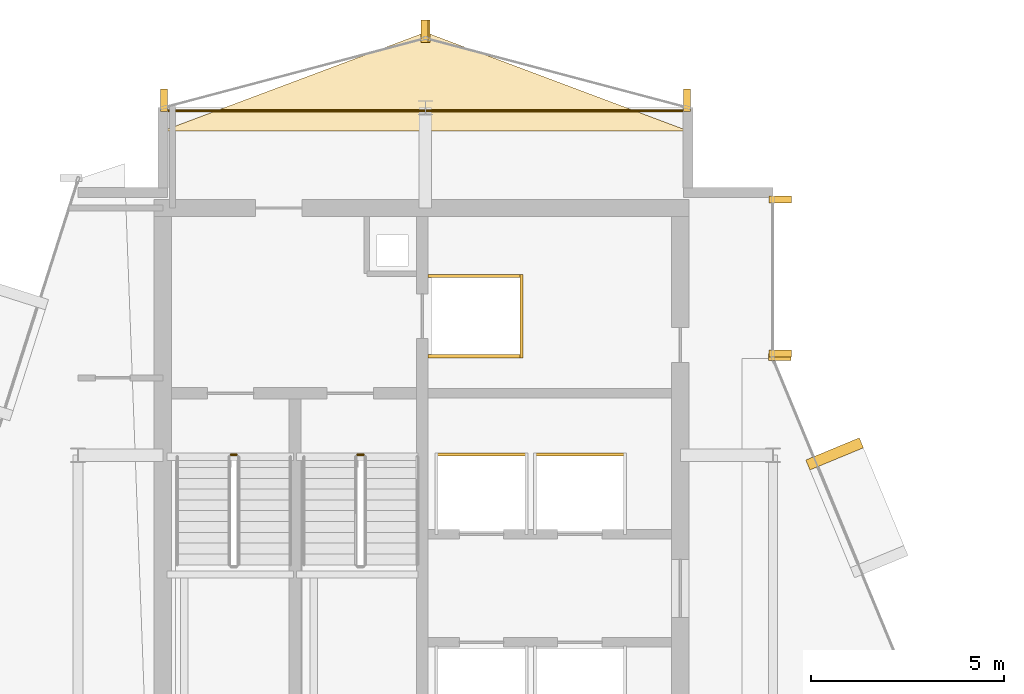
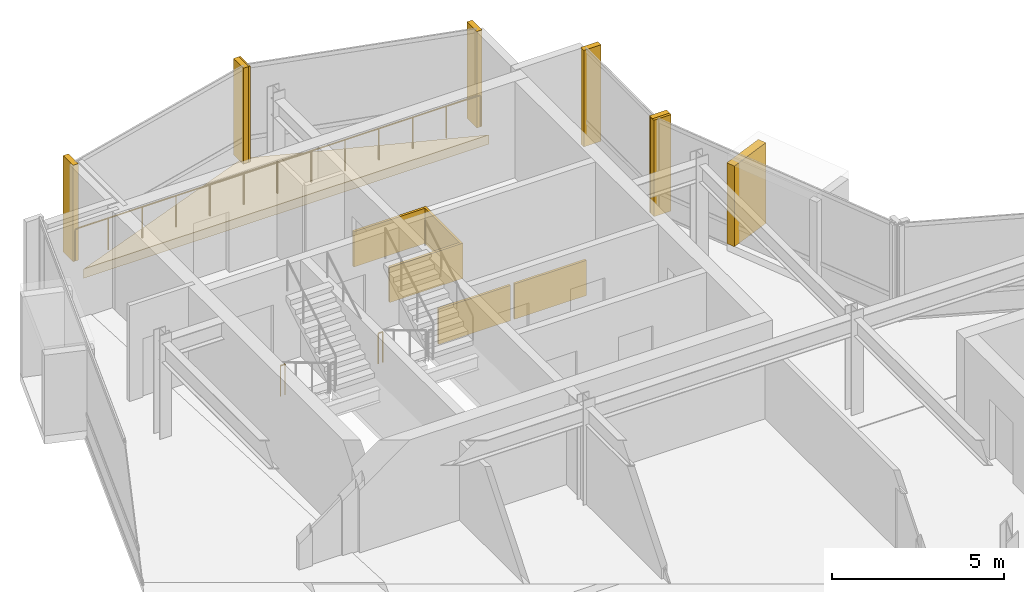
# One storey, part 19 of 19: 14 coverings, 3 railings.
"""IFC4 building model written with IfcOpenShell, lengths in metres."""

from ifc_helpers import new_model, si_unit, direction, frame, origin, origin_2d, place, context, subcontext, project, spatial, polyline, rectangle, circle, outline, extrude, material, layer, layer_set, type_object, element, save


model = new_model("IFC4")

# Units and contexts
model_context = context("Model", 3, precision=1e-05, world=origin(), true_north=direction((0.0, 1.0)))
body_context = subcontext(model_context, "Body", "Model", "MODEL_VIEW")
ifc_project = project(units=[si_unit("LENGTHUNIT", "METRE"), si_unit("AREAUNIT", "SQUARE_METRE"), si_unit("VOLUMEUNIT", "CUBIC_METRE"), si_unit("PLANEANGLEUNIT", "RADIAN"), si_unit("MASSUNIT", "GRAM", prefix="KILO")], contexts=[model_context])

# Site, building, storey
site_placement = place(None, origin())
site = spatial("IfcSite", under=ifc_project, at=site_placement, CompositionType="ELEMENT")
building_placement = place(site_placement, origin())
building = spatial("IfcBuilding", under=site, at=building_placement, Name="Solvaryn Broadcast Tower", CompositionType="ELEMENT")
storey_placement = place(building_placement, frame((0.0, 0.0, 270.39990234375)))
storey = spatial("IfcBuildingStorey", under=building, at=storey_placement, Name="L68", CompositionType="ELEMENT", Elevation=270.39990234375)

# Coverings
ifc_material_1 = material(Name="Fire-Rated Gypsum Shaftwall Liner", Category="concrete")
ifc_layer_1 = layer(ifc_material_1, 0.080078125)
ifc_layer_set_1 = layer_set([ifc_layer_1], Name="CV-SHAFT-LINER")
covering_type_1 = type_object("IfcCoveringType", Name="CV-SHAFT-LINER", PredefinedType="CLADDING", material=ifc_layer_set_1)
for number, where, z_axis, x_axis, name in (
    (1, (19.300048828125, 40.639892578125, 0.0), (0.0, 0.0, 1.0), (1.0, 0.0, 0.0), "L68 FL1 Hoistway Shaft Liner North"),
    (2, (19.300048828125, 38.56005859375, 0.0), (0.0, 0.0, 1.0), (1.0, 0.0, 0.0), "L68 FL1 Hoistway Shaft Liner South"),
):
    element("IfcCovering", number, at=place(storey_placement, frame(where, z_axis=z_axis, x_axis=x_axis)), inside=storey, type_object=covering_type_1, Name=name, PredefinedType="CLADDING", context=body_context, shape_type="SweptSolid", body=[
        extrude(rectangle(XDim=2.4599609375, YDim=0.080078125, at=origin_2d()), origin(), (0.0, 0.0, 1.0), 1.25),
    ])
covering_1_placement = place(storey_placement, frame((20.489990234375, 39.60009765625, 0.0), z_axis=(0.0, 0.0, 1.0), x_axis=(1.0, 0.0, 0.0)))
element("IfcCovering", 3, at=covering_1_placement, inside=storey, type_object=covering_type_1, Name="L68 FL1 Hoistway Shaft Liner East", PredefinedType="CLADDING", context=body_context, shape_type="SweptSolid", body=[
    extrude(rectangle(XDim=0.080078125, YDim=2.159912109375, at=origin_2d()), origin(), (0.0, 0.0, 1.0), 1.25),
])
for number, where, z_axis, x_axis, name in (
    (4, (19.449951171875, 36.014892578125, 0.0), (0.0, 0.0, 1.0), (1.0, 0.0, 0.0), "L68 PH3 Hoistway Shaft Liner North"),
    (5, (22.0, 36.014892578125, 0.0), (0.0, 0.0, 1.0), (1.0, 0.0, 0.0), "L68 PH4 Hoistway Shaft Liner North"),
):
    element("IfcCovering", number, at=place(storey_placement, frame(where, z_axis=z_axis, x_axis=x_axis)), inside=storey, type_object=covering_type_1, Name=name, PredefinedType="CLADDING", context=body_context, shape_type="SweptSolid", body=[
        extrude(rectangle(XDim=2.409912109375, YDim=0.080078125, at=origin_2d()), origin(), (0.0, 0.0, 1.0), 1.25),
    ])
ifc_material_2 = material(Name="Glazed Architectural Terracotta Rainscreen Cladding", Category="masonry")
ifc_layer_2 = layer(ifc_material_2, 0.280029296875)
ifc_layer_set_2 = layer_set([ifc_layer_2], Name="CV-TC-CLAD")
covering_type_2 = type_object("IfcCoveringType", Name="CV-TC-CLAD", PredefinedType="CLADDING", material=ifc_layer_set_2)
covering_2_placement = place(storey_placement, frame((28.59619140625, 36.031982421875, 0.2802734375), z_axis=(0.0, 0.0, 1.0), x_axis=(-0.382683432365, 0.923879532511, 0.0)))
element("IfcCovering", 6, at=covering_2_placement, inside=storey, type_object=covering_type_2, Name="L68 Projecting Stone Window Box Cheek 5-2", PredefinedType="CLADDING", context=body_context, shape_type="SweptSolid", body=[
    extrude(rectangle(XDim=0.280029296875, YDim=1.5, at=origin_2d()), origin(), (0.0, 0.0, 1.0), 2.860107421875),
])
ifc_material_3 = material(Name="Extruded Architectural Terracotta Fin", Category="masonry")
ifc_layer_3 = layer(ifc_material_3, 0.179931640625)
ifc_layer_set_3 = layer_set([ifc_layer_3], Name="CV-TC-FIN")
covering_type_3 = type_object("IfcCoveringType", Name="CV-TC-FIN", PredefinedType="USERDEFINED", material=ifc_layer_set_3)
for number, where, z_axis, x_axis, name in (
    (7, (27.1875, 42.6201171875, 0.000244140625), (0.0, 0.0, 1.0), (1.0, 0.0, 0.0), "L68 Terracotta Vertical Fin FIN-L68-IV-M00"),
    (8, (27.1875, 38.6298828125, 0.000244140625), (0.0, 0.0, 1.0), (1.0, 0.0, 0.0), "L68 Terracotta Vertical Fin FIN-L68-IV-M01"),
    (9, (27.177978515625, 38.541259765625, 0.000244140625), (0.0, 0.0, 1.0), (1.0, 0.0, 0.0), "L68 Terracotta Vertical Fin FIN-L68-CN2-M01"),
):
    element("IfcCovering", number, at=place(storey_placement, frame(where, z_axis=z_axis, x_axis=x_axis)), inside=storey, type_object=covering_type_3, Name=name, ObjectType="FIN", PredefinedType="USERDEFINED", context=body_context, shape_type="SweptSolid", body=[
        extrude(rectangle(XDim=0.580078125, YDim=0.179931640625, at=origin_2d()), origin(), (0.0, 0.0, 1.0), 3.419921875),
    ])
for number, where, z_axis, x_axis, name in (
    (10, (24.77099609375, 45.1953125, 0.000244140625), (0.0, 0.0, 1.0), (1.0, 0.0, 0.0), "L68 Terracotta Vertical Fin FIN-L68-NT1-M00"),
    (11, (18.029052734375, 46.979736328125, 0.000244140625), (0.0, 0.0, 1.0), (1.0, 0.0, 0.0), "L68 Terracotta Vertical Fin FIN-L68-NT1-M01"),
    (12, (17.970947265625, 46.979736328125, 0.000244140625), (0.0, 0.0, 1.0), (1.0, 0.0, 0.0), "L68 Terracotta Vertical Fin FIN-L68-NT2-M00"),
    (13, (11.22900390625, 45.1953125, 0.000244140625), (0.0, 0.0, 1.0), (1.0, 0.0, 0.0), "L68 Terracotta Vertical Fin FIN-L68-NT2-M01"),
):
    element("IfcCovering", number, at=place(storey_placement, frame(where, z_axis=z_axis, x_axis=x_axis)), inside=storey, type_object=covering_type_3, Name=name, ObjectType="FIN", PredefinedType="USERDEFINED", context=body_context, shape_type="SweptSolid", body=[
        extrude(rectangle(XDim=0.179931640625, YDim=0.580078125, at=origin_2d()), origin(), (0.0, 0.0, 1.0), 3.419921875),
    ])
ifc_material_4 = material(Name="Sculpted Architectural Terracotta Wave Fascia", Category="masonry")
ifc_layer_4 = layer(ifc_material_4, 0.340087890625)
ifc_layer_set_4 = layer_set([ifc_layer_4], Name="CV-WAVE-TRAY")
covering_type_4 = type_object("IfcCoveringType", Name="CV-WAVE-TRAY", PredefinedType="CLADDING", material=ifc_layer_set_4)
covering_3_placement = place(storey_placement, frame((0.0, 0.0, -0.2998046875)))
element("IfcCovering", 14, at=covering_3_placement, inside=storey, type_object=covering_type_4, Name="L68 North Curved Wing Deck", PredefinedType="CLADDING", context=body_context, shape_type="SweptSolid", body=[
    extrude(outline(polyline([(11.199951171875, 44.39990234375), (24.800048828125, 44.39990234375), (18.0, 46.949951171875), (11.199951171875, 44.39990234375)])), origin(), (0.0, 0.0, 1.0), 0.329833984375),
])

# Railings
ifc_material_5 = material(Name="Painted Steel Stair Well Guard", Category="steel")
railing_type_1 = type_object("IfcRailingType", Name="RL-STAIR-GUARD", PredefinedType="BALUSTRADE", material=ifc_material_5)
railing_1_placement = place(storey_placement, frame((12.9599609375, 36.010009765625, 0.0)))
element("IfcRailing", 15, at=railing_1_placement, inside=storey, type_object=railing_type_1, Name="L68 ST1 stair guard 4", PredefinedType="BALUSTRADE", context=body_context, shape_type="SweptSolid", body=[
    extrude(circle(Radius=0.02392578125, at=origin_2d()), frame((0.0, 0.0, 1.076171875), z_axis=(1.0, 0.0, 0.0), x_axis=(0.0, 1.0, 0.0)), (0.0, 0.0, 1.0), 0.150146484375),
    extrude(circle(Radius=0.02099609375, at=origin_2d()), origin(), (0.0, 0.0, 1.0), 1.052001953125),
    extrude(circle(Radius=0.02099609375, at=origin_2d()), frame((0.150146484375, 0.0, 0.0)), (0.0, 0.0, 1.0), 1.052001953125),
])
railing_2_placement = place(storey_placement, frame((16.239990234375, 36.010009765625, 0.0)))
element("IfcRailing", 16, at=railing_2_placement, inside=storey, type_object=railing_type_1, Name="L68 ST2 stair guard 4", PredefinedType="BALUSTRADE", context=body_context, shape_type="SweptSolid", body=[
    extrude(circle(Radius=0.02392578125, at=origin_2d()), frame((0.0, 0.0, 1.076171875), z_axis=(1.0, 0.0, 0.0), x_axis=(0.0, 1.0, 0.0)), (0.0, 0.0, 1.0), 0.14990234375),
    extrude(circle(Radius=0.02099609375, at=origin_2d()), origin(), (0.0, 0.0, 1.0), 1.052001953125),
    extrude(circle(Radius=0.02099609375, at=origin_2d()), frame((0.14990234375, 0.0, 0.0)), (0.0, 0.0, 1.0), 1.052001953125),
])
ifc_material_6 = material(Name="Stainless Steel and Laminated Glass Guard", Category="steel")
railing_type_2 = type_object("IfcRailingType", Name="RL-TER-1150", PredefinedType="BALUSTRADE", material=ifc_material_6)
railing_3_placement = place(storey_placement, frame((11.199951171875, 44.919921875, 0.0)))
element("IfcRailing", 17, at=railing_3_placement, inside=storey, type_object=railing_type_2, Name="L68 North Wing Spandrel Edge Guard", PredefinedType="BALUSTRADE", context=body_context, shape_type="SweptSolid", body=[
    extrude(circle(Radius=0.02392578125, at=origin_2d()), frame((0.0, 0.0, 1.1259765625), z_axis=(1.0, 0.0, 0.0), x_axis=(0.0, 1.0, 0.0)), (0.0, 0.0, 1.0), 13.60009765625),
    extrude(circle(Radius=0.02099609375, at=origin_2d()), origin(), (0.0, 0.0, 1.0), 1.101806640625),
    extrude(circle(Radius=0.02099609375, at=origin_2d()), frame((1.13330078125, 0.0, 0.0)), (0.0, 0.0, 1.0), 1.101806640625),
    extrude(circle(Radius=0.02099609375, at=origin_2d()), frame((2.2666015625, 0.0, 0.0)), (0.0, 0.0, 1.0), 1.101806640625),
    extrude(circle(Radius=0.02099609375, at=origin_2d()), frame((3.39990234375, 0.0, 0.0)), (0.0, 0.0, 1.0), 1.101806640625),
    extrude(circle(Radius=0.02099609375, at=origin_2d()), frame((4.533447265625, 0.0, 0.0)), (0.0, 0.0, 1.0), 1.101806640625),
    extrude(circle(Radius=0.02099609375, at=origin_2d()), frame((5.666748046875, 0.0, 0.0)), (0.0, 0.0, 1.0), 1.101806640625),
    extrude(circle(Radius=0.02099609375, at=origin_2d()), frame((6.800048828125, 0.0, 0.0)), (0.0, 0.0, 1.0), 1.101806640625),
    extrude(circle(Radius=0.02099609375, at=origin_2d()), frame((7.933349609375, 0.0, 0.0)), (0.0, 0.0, 1.0), 1.101806640625),
    extrude(circle(Radius=0.02099609375, at=origin_2d()), frame((9.066650390625, 0.0, 0.0)), (0.0, 0.0, 1.0), 1.101806640625),
    extrude(circle(Radius=0.02099609375, at=origin_2d()), frame((10.2001953125, 0.0, 0.0)), (0.0, 0.0, 1.0), 1.101806640625),
    extrude(circle(Radius=0.02099609375, at=origin_2d()), frame((11.33349609375, 0.0, 0.0)), (0.0, 0.0, 1.0), 1.101806640625),
    extrude(circle(Radius=0.02099609375, at=origin_2d()), frame((12.466796875, 0.0, 0.0)), (0.0, 0.0, 1.0), 1.101806640625),
    extrude(circle(Radius=0.02099609375, at=origin_2d()), frame((13.60009765625, 0.0, 0.0)), (0.0, 0.0, 1.0), 1.101806640625),
])

save(model, "model.ifc")
